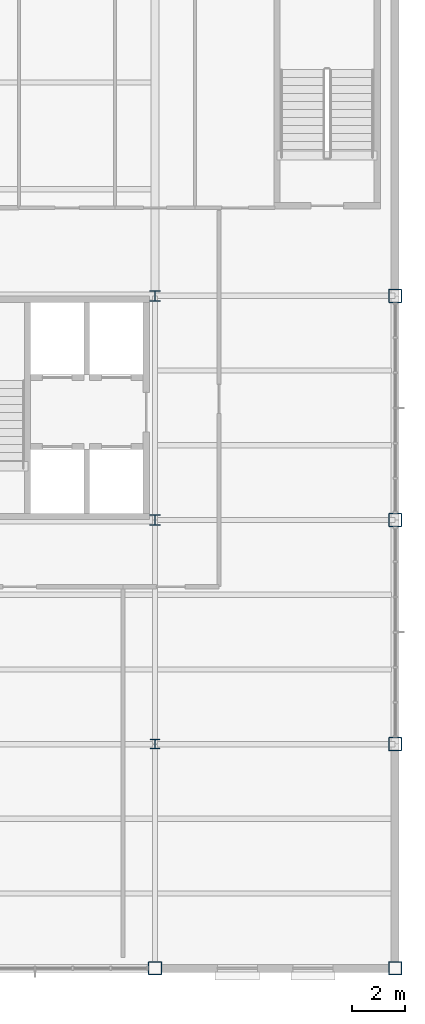
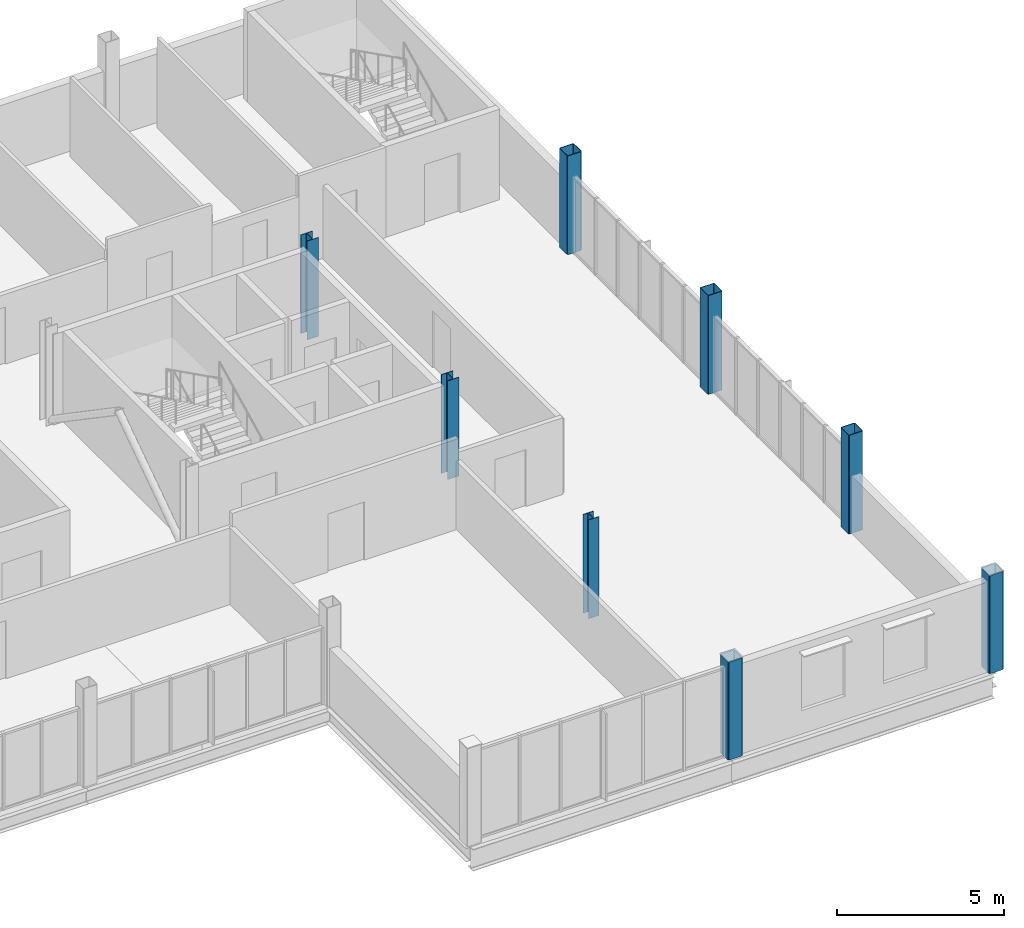
# One storey, part 3 of 19: 8 columns.
"""IFC4 building model written with IfcOpenShell, lengths in metres."""

import ifcopenshell
import ifcopenshell.guid

model = None  # the IFC model being written
_history = None  # IfcOwnerHistory: only IFC2X3 demands one
_inside = {}  # id of a spatial element -> (the spatial element, [elements in it])
_under = {}  # id of a project, library or spatial element -> (it, [spatial elements below it])
_declared = {}  # id of a project -> (the project, [libraries it declares])
_typed = {}  # id of a type object -> (the type object, [elements of that type])
_made_of = {}  # id of a material, layer set ... -> (it, [elements and type objects made of it])


def new_model(schema):
    """Start an empty IFC model of exactly this schema.

    Asked for "IFC4X3", IfcOpenShell would pick the latest addendum, in which some entities
    have other attributes; the version numbers below select the first issue.
    IFC2X3 requires an IfcOwnerHistory on every rooted entity: one is made here for all.
    """
    global model, _history
    if schema == "IFC4X3":
        model = ifcopenshell.file(schema_version=(4, 3, 0, 0))
    else:
        model = ifcopenshell.file(schema=schema)
    _inside.clear()
    _under.clear()
    _declared.clear()
    _typed.clear()
    _made_of.clear()
    _history = None
    if model.schema == "IFC2X3":
        org = make("IfcOrganization", Name="unknown")
        user = make(
            "IfcPersonAndOrganization",
            ThePerson=make("IfcPerson", FamilyName="unknown"),
            TheOrganization=org,
        )
        app = make(
            "IfcApplication",
            ApplicationDeveloper=org,
            Version="unknown",
            ApplicationFullName="unknown",
            ApplicationIdentifier="unknown",
        )
        _history = make(
            "IfcOwnerHistory",
            OwningUser=user,
            OwningApplication=app,
            ChangeAction="ADDED",
            CreationDate=0,
        )
    return model


def make(cls, **values):
    """One entity of the class cls with the attributes given. An attribute that is None is left unset."""
    return model.create_entity(
        cls, **{name: value for name, value in values.items() if value is not None}
    )


def rooted(cls, **values):
    """An entity with a GlobalId (a new one), such as an element, a storey or a relation."""
    return make(cls, GlobalId=ifcopenshell.guid.new(), OwnerHistory=_history, **values)


def si_unit(unit_type, name, prefix=None):
    """IfcSIUnit, for example si_unit("LENGTHUNIT", "METRE", prefix="MILLI")."""
    return make("IfcSIUnit", UnitType=unit_type, Prefix=prefix, Name=name)


def assignment(units):
    """IfcUnitAssignment: the units of a project."""
    return None if units is None else make("IfcUnitAssignment", Units=units)


def point(xyz):
    """IfcCartesianPoint."""
    return None if xyz is None else make("IfcCartesianPoint", Coordinates=xyz)


def direction(xyz):
    """IfcDirection."""
    return None if xyz is None else make("IfcDirection", DirectionRatios=xyz)


def frame(location, z_axis=None, x_axis=None):
    """IfcAxis2Placement3D, a coordinate frame: its origin and axes. An axis left out is left unset."""
    return make(
        "IfcAxis2Placement3D",
        Location=point(location),
        Axis=direction(z_axis),
        RefDirection=direction(x_axis),
    )


def frame_2d(location, x_axis=None):
    """IfcAxis2Placement2D, a coordinate frame in the plane: its origin and x axis."""
    return make(
        "IfcAxis2Placement2D", Location=point(location), RefDirection=direction(x_axis)
    )


def origin():
    """The frame at (0, 0, 0) with its axes left unset."""
    return frame((0.0, 0.0, 0.0))


def origin_2d():
    """The frame at (0, 0) in the plane with its x axis left unset."""
    return frame_2d((0.0, 0.0))


def place(relative_to, where):
    """IfcLocalPlacement: puts the frame where relative to a parent placement (None: the world)."""
    return make(
        "IfcLocalPlacement", PlacementRelTo=relative_to, RelativePlacement=where
    )


def context(
    kind, dimensions, precision=None, world=None, true_north=None, identifier=None
):
    """IfcGeometricRepresentationContext, for example the 3D "Model" context."""
    return make(
        "IfcGeometricRepresentationContext",
        ContextIdentifier=identifier,
        ContextType=kind,
        CoordinateSpaceDimension=dimensions,
        Precision=precision,
        WorldCoordinateSystem=world,
        TrueNorth=true_north,
    )


def subcontext(parent, identifier, kind, view, scale=None):
    """IfcGeometricRepresentationSubContext, for example "Body" below "Model"."""
    return make(
        "IfcGeometricRepresentationSubContext",
        ContextIdentifier=identifier,
        ContextType=kind,
        ParentContext=parent,
        TargetScale=scale,
        TargetView=view,
    )


def project(units=None, contexts=None):
    """IfcProject with its units and contexts."""
    return rooted(
        "IfcProject",
        Name="project",
        RepresentationContexts=contexts,
        UnitsInContext=assignment(units),
    )


def spatial(cls, under=None, at=None, **own):
    """A site, building, storey or space (cls), placed at a placement, below another one or the project."""
    s = rooted(cls, ObjectPlacement=at, **own)
    if under is not None:
        _under.setdefault(under.id(), (under, []))[1].append(s)
    return s


def profile(cls, at=None, kind="AREA", **sizes):
    """A parametric profile (cls). Its sizes go by their IFC names, for example OverallWidth=200.0."""
    return make(cls, ProfileType=kind, Position=at, **sizes)


def hollow_rectangle(**sizes):
    """IfcRectangleHollowProfileDef."""
    return profile("IfcRectangleHollowProfileDef", **sizes)


def i_section(**sizes):
    """IfcIShapeProfileDef."""
    return profile("IfcIShapeProfileDef", **sizes)


def extrude(swept, where, along, depth):
    """IfcExtrudedAreaSolid: the profile swept, set in the frame where, extruded along a direction by depth."""
    return make(
        "IfcExtrudedAreaSolid",
        SweptArea=swept,
        Position=where,
        ExtrudedDirection=direction(along),
        Depth=depth,
    )


def shape(context_of_items, identifier, shape_type, items):
    """IfcShapeRepresentation: the items that make up one representation, for example the "Body"."""
    return make(
        "IfcShapeRepresentation",
        ContextOfItems=context_of_items,
        RepresentationIdentifier=identifier,
        RepresentationType=shape_type,
        Items=items,
    )


def material(Name=None, Category=None):
    """IfcMaterial."""
    return make("IfcMaterial", Name=Name, Category=Category)


def material_profile(
    of_material, cross_section, Name=None, Category=None, Priority=None
):
    """IfcMaterialProfile: a cross section and its material."""
    return make(
        "IfcMaterialProfile",
        Name=Name,
        Material=of_material,
        Profile=cross_section,
        Priority=Priority,
        Category=Category,
    )


def profile_set(profiles, Name=None, composite=None):
    """IfcMaterialProfileSet."""
    return make(
        "IfcMaterialProfileSet",
        Name=Name,
        MaterialProfiles=profiles,
        CompositeProfile=composite,
    )


def made_of(thing, what):
    """Note that an element or type object is made of a material, layer set ...; save() writes the relation."""
    if what is not None:
        _made_of.setdefault(what.id(), (what, []))[1].append(thing)
    return thing


def type_object(cls, material=None, **own):
    """A type object (cls), such as IfcWallType, which elements share."""
    return made_of(rooted(cls, **own), material)


def element(
    cls,
    number,
    at=None,
    inside=None,
    cuts=None,
    type_object=None,
    material=None,
    context=None,
    identifier="Body",
    shape_type=None,
    held_by="IfcProductDefinitionShape",
    body=None,
    shapes=None,
    **own,
):
    """One element of the class cls, such as IfcWall. Its Tag is "e" and its number.

    at: its placement. inside: the storey or other place that contains it. cuts: it is an
    opening in that element (IfcRelVoidsElement). A single representation is given by context,
    identifier, shape_type and body (its items); several are given by shapes. held_by: the class
    of the entity that holds the representations. save() writes the other relations.
    """
    e = rooted(cls, Tag="e%d" % number, ObjectPlacement=at, **own)
    if body is not None:
        shapes = [shape(context, identifier, shape_type, body)]
    if shapes is not None:
        e.Representation = make(held_by, Representations=shapes)
    if inside is not None:
        _inside.setdefault(inside.id(), (inside, []))[1].append(e)
    if cuts is not None:
        rooted(
            "IfcRelVoidsElement", RelatingBuildingElement=cuts, RelatedOpeningElement=e
        )
    if type_object is not None:
        _typed.setdefault(type_object.id(), (type_object, []))[1].append(e)
    return made_of(e, material)


def aggregate(whole, parts):
    """IfcRelAggregates: a whole, such as a stair, and the parts it consists of."""
    return rooted("IfcRelAggregates", RelatingObject=whole, RelatedObjects=parts)


def save(model, path):
    """Write the relations noted so far, then the file.

    IfcRelAggregates (storeys below a building ...), IfcRelContainedInSpatialStructure (elements
    in a storey), IfcRelDefinesByType, IfcRelAssociatesMaterial and IfcRelDeclares: one each for
    every whole, place, type object, material and project.
    """
    for whole, parts in _under.values():
        aggregate(whole, parts)
    for where, things in _inside.values():
        rooted(
            "IfcRelContainedInSpatialStructure",
            RelatedElements=things,
            RelatingStructure=where,
        )
    for kind, things in _typed.values():
        rooted("IfcRelDefinesByType", RelatedObjects=things, RelatingType=kind)
    for what, things in _made_of.values():
        rooted("IfcRelAssociatesMaterial", RelatedObjects=things, RelatingMaterial=what)
    for by, libraries in _declared.values():
        rooted("IfcRelDeclares", RelatingContext=by, RelatedDefinitions=libraries)
    model.write(path)


model = new_model("IFC4")

# Units and contexts
model_context = context("Model", 3, precision=1e-05, world=origin(), true_north=direction((0.0, 1.0)))
body_context = subcontext(model_context, "Body", "Model", "MODEL_VIEW")
ifc_project = project(units=[si_unit("LENGTHUNIT", "METRE"), si_unit("AREAUNIT", "SQUARE_METRE"), si_unit("VOLUMEUNIT", "CUBIC_METRE"), si_unit("PLANEANGLEUNIT", "RADIAN"), si_unit("MASSUNIT", "GRAM", prefix="KILO")], contexts=[model_context])

# Site, building, storey
site_placement = place(None, origin())
site = spatial("IfcSite", under=ifc_project, at=site_placement, CompositionType="ELEMENT")
building_placement = place(site_placement, origin())
building = spatial("IfcBuilding", under=site, at=building_placement, Name="Yukiwa Park Conservatory and Herbarium", CompositionType="ELEMENT")
storey_placement = place(building_placement, frame((0.0, 0.0, 31.800048828125)))
storey = spatial("IfcBuildingStorey", under=building, at=storey_placement, Name="L08", CompositionType="ELEMENT", Elevation=31.800048828125)

# Columns
ifc_material_1 = material(Name="Steel Q355D", Category="steel")
ifc_material_profile_1 = material_profile(ifc_material_1, hollow_rectangle(XDim=0.5, YDim=0.5, WallThickness=0.02001953125, InnerFilletRadius=0.02001953125, OuterFilletRadius=0.0400390625, at=origin_2d()), Name="BOX 500x500x20")
ifc_profile_set_1 = profile_set([ifc_material_profile_1], Name="Steel Q355D")
column_type_1 = type_object("IfcColumnType", Name="COL-TW-BOX500-EXT", PredefinedType="COLUMN", material=ifc_profile_set_1)
for number, where, z_axis, x_axis, name in (
    (1, (159.0, 78.0, 0.0), (0.0, 0.0, 1.0), (1.0, 0.0, 0.0), "L08 column V5-X1590-Y780"),
    (2, (168.0, 78.0, 0.0), (0.0, 0.0, 1.0), (1.0, 0.0, 0.0), "L08 column V5-X1680-Y780"),
):
    element("IfcColumn", number, at=place(storey_placement, frame(where, z_axis=z_axis, x_axis=x_axis)), inside=storey, type_object=column_type_1, Name=name, PredefinedType="COLUMN", context=body_context, shape_type="SweptSolid", body=[
        extrude(hollow_rectangle(XDim=0.5, YDim=0.5, WallThickness=0.02001953125, InnerFilletRadius=0.02001953125, OuterFilletRadius=0.0400390625, at=origin_2d()), origin(), (0.0, 0.0, 1.0), 3.575927734375),
    ])
for number, where, z_axis, x_axis, name in (
    (3, (168.0, 86.39990234375, 0.0), (0.0, 0.0, 1.0), (1.0, 0.0, 0.0), "L08 column V5-X1680-Y864"),
    (4, (168.0, 94.800048828125, 0.0), (0.0, 0.0, 1.0), (1.0, 0.0, 0.0), "L08 column V5-X1680-Y948"),
    (5, (168.0, 103.199951171875, 0.0), (0.0, 0.0, 1.0), (1.0, 0.0, 0.0), "L08 column V5-X1680-Y1032"),
):
    element("IfcColumn", number, at=place(storey_placement, frame(where, z_axis=z_axis, x_axis=x_axis)), inside=storey, type_object=column_type_1, Name=name, PredefinedType="COLUMN", context=body_context, shape_type="SweptSolid", body=[
        extrude(hollow_rectangle(XDim=0.5, YDim=0.5, WallThickness=0.02001953125, InnerFilletRadius=0.02001953125, OuterFilletRadius=0.0400390625, at=origin_2d()), origin(), (0.0, 0.0, 1.0), 3.599853515625),
    ])
ifc_material_2 = material(Name="Steel Q355D", Category="steel")
ifc_material_profile_2 = material_profile(ifc_material_2, i_section(OverallWidth=0.35009765625, OverallDepth=0.35009765625, WebThickness=0.011962890625, FlangeThickness=0.01904296875, FilletRadius=0.02001953125, at=origin_2d()), Name="HW 350x350x12x19")
ifc_profile_set_2 = profile_set([ifc_material_profile_2], Name="Steel Q355D")
column_type_2 = type_object("IfcColumnType", Name="COL-TW-HW350", PredefinedType="COLUMN", material=ifc_profile_set_2)
column_placement = place(storey_placement, frame((159.0, 86.39990234375, 0.0), z_axis=(0.0, 0.0, 1.0), x_axis=(1.0, 0.0, 0.0)))
element("IfcColumn", 6, at=column_placement, inside=storey, type_object=column_type_2, Name="L08 column V5-X1590-Y864", PredefinedType="COLUMN", context=body_context, shape_type="SweptSolid", body=[
    extrude(i_section(OverallWidth=0.35009765625, OverallDepth=0.35009765625, WebThickness=0.011962890625, FlangeThickness=0.01904296875, FilletRadius=0.02001953125, at=origin_2d()), origin(), (0.0, 0.0, 1.0), 3.599853515625),
])
ifc_material_3 = material(Name="Steel Q355D", Category="steel")
ifc_material_profile_3 = material_profile(ifc_material_3, i_section(OverallWidth=0.39794921875, OverallDepth=0.39404296875, WebThickness=0.010986328125, FlangeThickness=0.01806640625, FilletRadius=0.02197265625, at=origin_2d()), Name="HW 394x398x11x18")
ifc_profile_set_3 = profile_set([ifc_material_profile_3], Name="Steel Q355D")
column_type_3 = type_object("IfcColumnType", Name="COL-TW-HW394", PredefinedType="COLUMN", material=ifc_profile_set_3)
for number, where, z_axis, x_axis, name in (
    (7, (159.0, 94.800048828125, 0.0), (0.0, 0.0, 1.0), (1.0, 0.0, 0.0), "L08 column V5-X1590-Y948"),
    (8, (159.0, 103.199951171875, 0.0), (0.0, 0.0, 1.0), (1.0, 0.0, 0.0), "L08 column V5-X1590-Y1032"),
):
    element("IfcColumn", number, at=place(storey_placement, frame(where, z_axis=z_axis, x_axis=x_axis)), inside=storey, type_object=column_type_3, Name=name, PredefinedType="COLUMN", context=body_context, shape_type="SweptSolid", body=[
        extrude(i_section(OverallWidth=0.39794921875, OverallDepth=0.39404296875, WebThickness=0.010986328125, FlangeThickness=0.01806640625, FilletRadius=0.02197265625, at=origin_2d()), origin(), (0.0, 0.0, 1.0), 3.599853515625),
    ])

save(model, "model.ifc")
